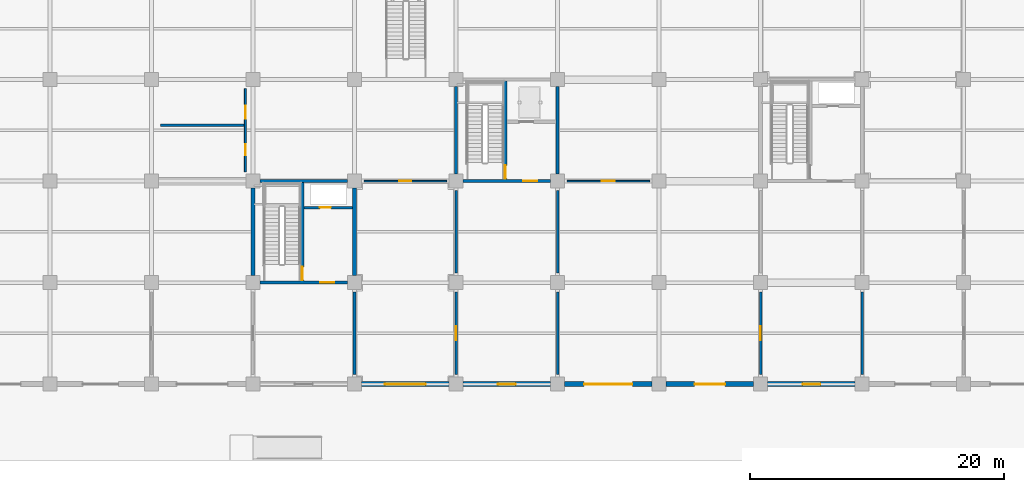
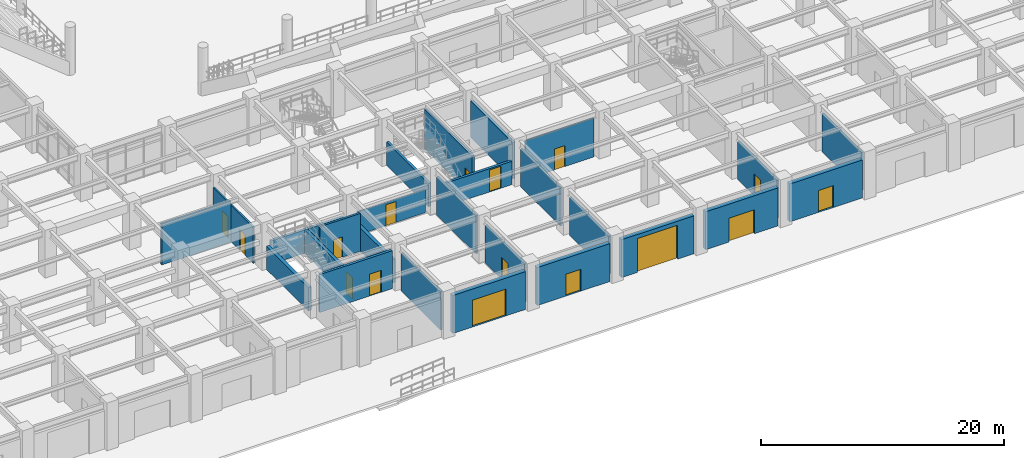
# One storey, part 75 of 125: 26 walls, 16 doors, 16 openings.
"""IFC4 building model written with IfcOpenShell, lengths in metres."""

from ifc_helpers import new_model, si_unit, direction, frame, frame_2d, origin, place, context, subcontext, project, spatial, rectangle, extrude, material, layer, layer_set, type_object, element, fill, save


model = new_model("IFC4")

# Units and contexts
model_context = context("Model", 3, precision=1e-05, world=origin(), true_north=direction((0.0, 1.0)))
body_context = subcontext(model_context, "Body", "Model", "MODEL_VIEW")
ifc_project = project(units=[si_unit("LENGTHUNIT", "METRE"), si_unit("AREAUNIT", "SQUARE_METRE"), si_unit("VOLUMEUNIT", "CUBIC_METRE"), si_unit("PLANEANGLEUNIT", "RADIAN"), si_unit("MASSUNIT", "GRAM", prefix="KILO")], contexts=[model_context])

# Site, building, storey
site_placement = place(None, origin())
site = spatial("IfcSite", under=ifc_project, at=site_placement, CompositionType="ELEMENT")
building_placement = place(site_placement, origin())
building = spatial("IfcBuilding", under=site, at=building_placement, Name="Haebicheon Civic Stadium", CompositionType="ELEMENT")
storey_placement = place(building_placement, origin())
storey = spatial("IfcBuildingStorey", under=building, at=storey_placement, Name="L01", CompositionType="ELEMENT", Elevation=0.0)

# Wall, opening, door
ifc_material_1 = material(Name="Concrete C40/50", Category="concrete")
ifc_layer_1 = layer(ifc_material_1, 0.239990234375, Name="Concrete C40/50")
ifc_layer_set_1 = layer_set([ifc_layer_1], Name="Concrete C40/50")
wall_type_1 = type_object("IfcWallType", Name="CW-SHR-240", PredefinedType="SHEAR", material=ifc_layer_set_1)
wall_1_placement = place(storey_placement, frame((88.550048828125, 16.0, 0.0), z_axis=(0.0, 0.0, 1.0), x_axis=(1.0, 0.0, 0.0)))
wall_1 = element("IfcWall", 1, at=wall_1_placement, inside=storey, type_object=wall_type_1, material=ifc_layer_set_1, Name="KC-06 L01 south core shear wall", PredefinedType="SHEAR", context=body_context, shape_type="SweptSolid", body=[
    extrude(rectangle(XDim=6.89990234375, YDim=0.239990234375, at=frame_2d((3.449951171875, 0.0))), origin(), (0.0, 0.0, 1.0), 2.340087890625),
])
opening_1_placement = place(wall_1_placement, frame((4.75, 0.0, 0.0)))
opening_1 = element("IfcOpeningElement", 2, at=opening_1_placement, cuts=wall_1, Name="Opening D-L01-KC-06-LOB", PredefinedType="OPENING", context=body_context, shape_type="SweptSolid", body=[
    extrude(rectangle(XDim=1.10009765625, YDim=2.199951171875, at=frame_2d((0.550048828125, 1.10009765625))), frame((0.0, 0.1298828125, 0.0), z_axis=(0.0, -1.0, 0.0), x_axis=(1.0, 0.0, 0.0)), (0.0, 0.0, 1.0), 0.260009765625),
])
ifc_material_2 = material(Name="Galvanised painted steel SM355", Category="steel")
door_type_1 = type_object("IfcDoorType", Name="ID-FD-1100", OperationType="NOTDEFINED", PredefinedType="DOOR", material=ifc_material_2)
door_1_placement = place(opening_1_placement, origin())
door_1 = element("IfcDoor", 3, at=door_1_placement, inside=storey, type_object=door_type_1, material=ifc_material_2, Name="L01 KC-06 lobby fire door", OperationType="SINGLE_SWING_LEFT", OverallHeight=2.199951171875, OverallWidth=1.10009765625, PredefinedType="DOOR", context=body_context, shape_type="SweptSolid", body=[
    extrude(rectangle(XDim=1.10009765625, YDim=2.199951171875, at=frame_2d((0.550048828125, 1.10009765625))), frame((0.0, 0.02490234375, 0.0), z_axis=(0.0, -1.0, 0.0), x_axis=(1.0, 0.0, 0.0)), (0.0, 0.0, 1.0), 0.050048828125),
])
fill(opening_1, door_1)

# Walls
wall_2_placement = place(storey_placement, frame((88.0, 16.550048828125, 0.0), z_axis=(0.0, 0.0, 1.0), x_axis=(0.0, 1.0, 0.0)))
element("IfcWall", 4, at=wall_2_placement, inside=storey, type_object=wall_type_1, material=ifc_layer_set_1, Name="KC-06 L01 west core shear wall", PredefinedType="SHEAR", context=body_context, shape_type="SweptSolid", body=[
    extrude(rectangle(XDim=6.89990234375, YDim=0.239990234375, at=frame_2d((3.449951171875, 0.0))), origin(), (0.0, 0.0, 1.0), 2.340087890625),
])
wall_3_placement = place(storey_placement, frame((96.0, 16.550048828125, 0.0), z_axis=(0.0, 0.0, 1.0), x_axis=(0.0, 1.0, 0.0)))
element("IfcWall", 5, at=wall_3_placement, inside=storey, type_object=wall_type_1, material=ifc_layer_set_1, Name="KC-06 L01 east core shear wall", PredefinedType="SHEAR", context=body_context, shape_type="SweptSolid", body=[
    extrude(rectangle(XDim=6.89990234375, YDim=0.239990234375, at=frame_2d((3.449951171875, 0.0))), origin(), (0.0, 0.0, 1.0), 3.659912109375),
])

# Wall, opening, door
wall_4_placement = place(storey_placement, frame((91.8798828125, 16.1201171875, 0.0), z_axis=(0.0, 0.0, 1.0), x_axis=(0.0, 1.0, 0.0)))
wall_4 = element("IfcWall", 6, at=wall_4_placement, inside=storey, type_object=wall_type_1, material=ifc_layer_set_1, Name="KC-06 L01 stair-lobby dividing shear wall", PredefinedType="SHEAR", context=body_context, shape_type="SweptSolid", body=[
    extrude(rectangle(XDim=7.759765625, YDim=0.239990234375, at=frame_2d((3.8798828125, 0.0))), origin(), (0.0, 0.0, 1.0), 4.010009765625),
])
opening_2_placement = place(wall_4_placement, frame((0.080078125, 0.0, 0.0)))
opening_2 = element("IfcOpeningElement", 7, at=opening_2_placement, cuts=wall_4, Name="Opening D-L01-KC-06-STR", PredefinedType="OPENING", context=body_context, shape_type="SweptSolid", body=[
    extrude(rectangle(XDim=1.050048828125, YDim=2.14990234375, at=frame_2d((0.52490234375, 1.074951171875))), frame((0.0, 0.1298828125, 0.0), z_axis=(0.0, -1.0, 0.0), x_axis=(1.0, 0.0, 0.0)), (0.0, 0.0, 1.0), 0.260009765625),
])
ifc_material_3 = material(Name="Galvanised painted steel SM355", Category="steel")
door_type_2 = type_object("IfcDoorType", Name="ID-FD-1050", OperationType="NOTDEFINED", PredefinedType="DOOR", material=ifc_material_3)
door_2_placement = place(opening_2_placement, origin())
door_2 = element("IfcDoor", 8, at=door_2_placement, inside=storey, type_object=door_type_2, material=ifc_material_3, Name="L01 ST-06 stairwell escape door", OperationType="SINGLE_SWING_RIGHT", OverallHeight=2.14990234375, OverallWidth=1.050048828125, PredefinedType="DOOR", context=body_context, shape_type="SweptSolid", body=[
    extrude(rectangle(XDim=1.050048828125, YDim=2.14990234375, at=frame_2d((0.52490234375, 1.074951171875))), frame((0.0, 0.02490234375, 0.0), z_axis=(0.0, -1.0, 0.0), x_axis=(1.0, 0.0, 0.0)), (0.0, 0.0, 1.0), 0.050048828125),
])
fill(opening_2, door_2)

wall_5_placement = place(storey_placement, frame((72.550048828125, 8.0, 0.0), z_axis=(0.0, 0.0, 1.0), x_axis=(1.0, 0.0, 0.0)))
wall_5 = element("IfcWall", 9, at=wall_5_placement, inside=storey, type_object=wall_type_1, material=ifc_layer_set_1, Name="KC-16 L01 south core shear wall", PredefinedType="SHEAR", context=body_context, shape_type="SweptSolid", body=[
    extrude(rectangle(XDim=6.89990234375, YDim=0.239990234375, at=frame_2d((3.449951171875, 0.0))), origin(), (0.0, 0.0, 1.0), 3.81005859375),
])
opening_3_placement = place(wall_5_placement, frame((4.75, 0.0, 0.0)))
opening_3 = element("IfcOpeningElement", 10, at=opening_3_placement, cuts=wall_5, Name="Opening D-L01-KC-16-LOB", PredefinedType="OPENING", context=body_context, shape_type="SweptSolid", body=[
    extrude(rectangle(XDim=1.10009765625, YDim=2.199951171875, at=frame_2d((0.550048828125, 1.10009765625))), frame((0.0, 0.1298828125, 0.0), z_axis=(0.0, -1.0, 0.0), x_axis=(1.0, 0.0, 0.0)), (0.0, 0.0, 1.0), 0.260009765625),
])
door_3_placement = place(opening_3_placement, origin())
door_3 = element("IfcDoor", 11, at=door_3_placement, inside=storey, type_object=door_type_1, material=ifc_material_2, Name="L01 KC-16 lobby fire door", OperationType="SINGLE_SWING_LEFT", OverallHeight=2.199951171875, OverallWidth=1.10009765625, PredefinedType="DOOR", context=body_context, shape_type="SweptSolid", body=[
    extrude(rectangle(XDim=1.10009765625, YDim=2.199951171875, at=frame_2d((0.550048828125, 1.10009765625))), frame((0.0, 0.02490234375, 0.0), z_axis=(0.0, -1.0, 0.0), x_axis=(1.0, 0.0, 0.0)), (0.0, 0.0, 1.0), 0.050048828125),
])
fill(opening_3, door_3)

# Walls
wall_6_placement = place(storey_placement, frame((72.550048828125, 16.0, 0.0), z_axis=(0.0, 0.0, 1.0), x_axis=(1.0, 0.0, 0.0)))
element("IfcWall", 12, at=wall_6_placement, inside=storey, type_object=wall_type_1, material=ifc_layer_set_1, Name="KC-16 L01 north core shear wall", PredefinedType="SHEAR", context=body_context, shape_type="SweptSolid", body=[
    extrude(rectangle(XDim=6.89990234375, YDim=0.239990234375, at=frame_2d((3.449951171875, 0.0))), origin(), (0.0, 0.0, 1.0), 2.340087890625),
])
ifc_material_4 = material(Name="Concrete C40/50", Category="concrete")
ifc_layer_2 = layer(ifc_material_4, 0.300048828125, Name="Concrete C40/50")
ifc_layer_set_2 = layer_set([ifc_layer_2], Name="Concrete C40/50")
wall_type_2 = type_object("IfcWallType", Name="CW-SHR-300", PredefinedType="SHEAR", material=ifc_layer_set_2)
for number, where, z_axis, x_axis, name in (
    (13, (72.0, 8.550048828125, 0.0), (0.0, 0.0, 1.0), (0.0, 1.0, 0.0), "KC-16 L01 west core shear wall"),
    (14, (80.0, 8.550048828125, 0.0), (0.0, 0.0, 1.0), (0.0, 1.0, 0.0), "KC-16 L01 east core shear wall"),
):
    element("IfcWall", number, at=place(storey_placement, frame(where, z_axis=z_axis, x_axis=x_axis)), inside=storey, type_object=wall_type_2, material=ifc_layer_set_2, Name=name, PredefinedType="SHEAR", context=body_context, shape_type="SweptSolid", body=[
        extrude(rectangle(XDim=6.89990234375, YDim=0.300048828125, at=frame_2d((3.449951171875, 0.0))), origin(), (0.0, 0.0, 1.0), 2.340087890625),
    ])

# Wall, opening, door
wall_7_placement = place(storey_placement, frame((75.8798828125, 8.1201171875, 0.0), z_axis=(0.0, 0.0, 1.0), x_axis=(0.0, 1.0, 0.0)))
wall_7 = element("IfcWall", 15, at=wall_7_placement, inside=storey, type_object=wall_type_2, material=ifc_layer_set_2, Name="KC-16 L01 stair-lobby dividing shear wall", PredefinedType="SHEAR", context=body_context, shape_type="SweptSolid", body=[
    extrude(rectangle(XDim=7.759765625, YDim=0.300048828125, at=frame_2d((3.8798828125, 0.0))), origin(), (0.0, 0.0, 1.0), 2.340087890625),
])
opening_4_placement = place(wall_7_placement, frame((0.080078125, 0.0, 0.0)))
opening_4 = element("IfcOpeningElement", 16, at=opening_4_placement, cuts=wall_7, Name="Opening D-L01-KC-16-STR", PredefinedType="OPENING", context=body_context, shape_type="SweptSolid", body=[
    extrude(rectangle(XDim=1.050048828125, YDim=2.14990234375, at=frame_2d((0.52490234375, 1.074951171875))), frame((0.0, 0.159912109375, 0.0), z_axis=(0.0, -1.0, 0.0), x_axis=(1.0, 0.0, 0.0)), (0.0, 0.0, 1.0), 0.320068359375),
])
door_4_placement = place(opening_4_placement, origin())
door_4 = element("IfcDoor", 17, at=door_4_placement, inside=storey, type_object=door_type_2, material=ifc_material_3, Name="L01 ST-16 stairwell escape door", OperationType="SINGLE_SWING_RIGHT", OverallHeight=2.14990234375, OverallWidth=1.050048828125, PredefinedType="DOOR", context=body_context, shape_type="SweptSolid", body=[
    extrude(rectangle(XDim=1.050048828125, YDim=2.14990234375, at=frame_2d((0.52490234375, 1.074951171875))), frame((0.0, 0.02490234375, 0.0), z_axis=(0.0, -1.0, 0.0), x_axis=(1.0, 0.0, 0.0)), (0.0, 0.0, 1.0), 0.050048828125),
])
fill(opening_4, door_4)

ifc_material_5 = material(Name="Concrete C40/50", Category="concrete")
ifc_layer_3 = layer(ifc_material_5, 0.39990234375, Name="Concrete C40/50")
ifc_layer_set_3 = layer_set([ifc_layer_3], Name="Concrete C40/50")
wall_type_3 = type_object("IfcWallType", Name="EW-BM-400", PredefinedType="SOLIDWALL", material=ifc_layer_set_3)
wall_8_placement = place(storey_placement, frame((80.550048828125, 0.0, 0.0), z_axis=(0.0, 0.0, 1.0), x_axis=(1.0, 0.0, 0.0)))
wall_8 = element("IfcWall", 18, at=wall_8_placement, inside=storey, type_object=wall_type_3, material=ifc_layer_set_3, Name="L01 board-marked concrete facade wall 10-00-S", PredefinedType="SOLIDWALL", context=body_context, shape_type="SweptSolid", body=[
    extrude(rectangle(XDim=6.89990234375, YDim=0.39990234375, at=frame_2d((3.449951171875, 0.0))), origin(), (0.0, 0.0, 1.0), 3.81005859375),
])
opening_5_placement = place(wall_8_placement, frame((1.85009765625, 0.0, 0.0)))
opening_5 = element("IfcOpeningElement", 19, at=opening_5_placement, cuts=wall_8, Name="Opening E08", PredefinedType="OPENING", context=body_context, shape_type="SweptSolid", body=[
    extrude(rectangle(XDim=3.199951171875, YDim=2.699951171875, at=frame_2d((1.60009765625, 1.35009765625))), frame((0.0, 0.2099609375, 0.0), z_axis=(0.0, -1.0, 0.0), x_axis=(1.0, 0.0, 0.0)), (0.0, 0.0, 1.0), 0.419921875),
])
ifc_material_6 = material(Name="Anodised aluminium and laminated glass", Category="aluminium")
door_type_3 = type_object("IfcDoorType", Name="ED-MAIN-3200", OperationType="NOTDEFINED", PredefinedType="DOOR", material=ifc_material_6)
door_5_placement = place(opening_5_placement, origin())
door_5 = element("IfcDoor", 20, at=door_5_placement, inside=storey, type_object=door_type_3, material=ifc_material_6, Name="Main entrance E8", OperationType="DOUBLE_SWING_LEFT", OverallHeight=2.699951171875, OverallWidth=3.199951171875, PredefinedType="DOOR", context=body_context, shape_type="SweptSolid", body=[
    extrude(rectangle(XDim=3.199951171875, YDim=2.699951171875, at=frame_2d((1.60009765625, 1.35009765625))), frame((0.0, 0.02490234375, 0.0), z_axis=(0.0, -1.0, 0.0), x_axis=(1.0, 0.0, 0.0)), (0.0, 0.0, 1.0), 0.050048828125),
])
fill(opening_5, door_5)

wall_9_placement = place(storey_placement, frame((95.449951171875, 0.0, 0.0), z_axis=(0.0, 0.0, 1.0), x_axis=(-1.0, 0.0, 0.0)))
wall_9 = element("IfcWall", 21, at=wall_9_placement, inside=storey, type_object=wall_type_3, material=ifc_layer_set_3, Name="L01 board-marked concrete facade wall 11-00-S", PredefinedType="SOLIDWALL", context=body_context, shape_type="SweptSolid", body=[
    extrude(rectangle(XDim=6.89990234375, YDim=0.39990234375, at=frame_2d((3.449951171875, 0.0))), origin(), (0.0, 0.0, 1.0), 3.81005859375),
])
opening_6_placement = place(wall_9_placement, frame((2.75, 0.0, 0.0)))
opening_6 = element("IfcOpeningElement", 22, at=opening_6_placement, cuts=wall_9, Name="Opening DX03", PredefinedType="OPENING", context=body_context, shape_type="SweptSolid", body=[
    extrude(rectangle(XDim=1.39990234375, YDim=2.199951171875, at=frame_2d((0.699951171875, 1.10009765625))), frame((0.0, 0.2099609375, 0.0), z_axis=(0.0, -1.0, 0.0), x_axis=(1.0, 0.0, 0.0)), (0.0, 0.0, 1.0), 0.419921875),
])
ifc_material_7 = material(Name="Galvanised painted steel SM355", Category="steel")
door_type_4 = type_object("IfcDoorType", Name="ED-EXIT-1400", OperationType="NOTDEFINED", PredefinedType="DOOR", material=ifc_material_7)
door_6_placement = place(opening_6_placement, origin())
door_6 = element("IfcDoor", 23, at=door_6_placement, inside=storey, type_object=door_type_4, material=ifc_material_7, Name="Protected exit passage final exit door DX03", OperationType="SINGLE_SWING_LEFT", OverallHeight=2.199951171875, OverallWidth=1.39990234375, PredefinedType="DOOR", context=body_context, shape_type="SweptSolid", body=[
    extrude(rectangle(XDim=1.39990234375, YDim=2.199951171875, at=frame_2d((0.699951171875, 1.10009765625))), frame((0.0, 0.02490234375, 0.0), z_axis=(0.0, -1.0, 0.0), x_axis=(1.0, 0.0, 0.0)), (0.0, 0.0, 1.0), 0.050048828125),
])
fill(opening_6, door_6)

wall_10_placement = place(storey_placement, frame((96.550048828125, 0.0, 0.0), z_axis=(0.0, 0.0, 1.0), x_axis=(1.0, 0.0, 0.0)))
wall_10 = element("IfcWall", 24, at=wall_10_placement, inside=storey, type_object=wall_type_3, material=ifc_layer_set_3, Name="L01 board-marked concrete facade wall 12-00-S", PredefinedType="SOLIDWALL", context=body_context, shape_type="SweptSolid", body=[
    extrude(rectangle(XDim=6.89990234375, YDim=0.39990234375, at=frame_2d((3.449951171875, 0.0))), origin(), (0.0, 0.0, 1.0), 3.81005859375),
])
opening_7_placement = place(wall_10_placement, frame((1.550048828125, 0.0, 0.0)))
opening_7 = element("IfcOpeningElement", 25, at=opening_7_placement, cuts=wall_10, Name="Opening DS03", PredefinedType="OPENING", context=body_context, shape_type="SweptSolid", body=[
    extrude(rectangle(XDim=3.800048828125, YDim=3.39990234375, at=frame_2d((1.89990234375, 1.699951171875))), frame((0.0, 0.2099609375, 0.0), z_axis=(0.0, -1.0, 0.0), x_axis=(1.0, 0.0, 0.0)), (0.0, 0.0, 1.0), 0.419921875),
])
ifc_material_8 = material(Name="Galvanised painted steel SM355", Category="steel")
door_type_5 = type_object("IfcDoorType", Name="ED-DOCK-3800", OperationType="NOTDEFINED", PredefinedType="GATE", material=ifc_material_8)
door_7_placement = place(opening_7_placement, origin())
door_7 = element("IfcDoor", 26, at=door_7_placement, inside=storey, type_object=door_type_5, material=ifc_material_8, Name="Loading dock roller shutter DS3", OperationType="ROLLINGUP", OverallHeight=3.39990234375, OverallWidth=3.800048828125, PredefinedType="GATE", context=body_context, shape_type="SweptSolid", body=[
    extrude(rectangle(XDim=3.800048828125, YDim=3.39990234375, at=frame_2d((1.89990234375, 1.699951171875))), frame((0.0, 0.02490234375, 0.0), z_axis=(0.0, -1.0, 0.0), x_axis=(1.0, 0.0, 0.0)), (0.0, 0.0, 1.0), 0.050048828125),
])
fill(opening_7, door_7)

wall_11_placement = place(storey_placement, frame((104.550048828125, 0.0, 0.0), z_axis=(0.0, 0.0, 1.0), x_axis=(1.0, 0.0, 0.0)))
wall_11 = element("IfcWall", 27, at=wall_11_placement, inside=storey, type_object=wall_type_3, material=ifc_layer_set_3, Name="L01 board-marked concrete facade wall 13-00-S", PredefinedType="SOLIDWALL", context=body_context, shape_type="SweptSolid", body=[
    extrude(rectangle(XDim=6.89990234375, YDim=0.39990234375, at=frame_2d((3.449951171875, 0.0))), origin(), (0.0, 0.0, 1.0), 3.81005859375),
])
opening_8_placement = place(wall_11_placement, frame((2.25, 0.0, 0.0)))
opening_8 = element("IfcOpeningElement", 28, at=opening_8_placement, cuts=wall_11, Name="Opening G08", PredefinedType="OPENING", context=body_context, shape_type="SweptSolid", body=[
    extrude(rectangle(XDim=2.39990234375, YDim=2.39990234375, at=frame_2d((1.199951171875, 1.199951171875))), frame((0.0, 0.2099609375, 0.0), z_axis=(0.0, -1.0, 0.0), x_axis=(1.0, 0.0, 0.0)), (0.0, 0.0, 1.0), 0.419921875),
])
ifc_material_9 = material(Name="Anodised aluminium 6063-T6", Category="aluminium")
door_type_6 = type_object("IfcDoorType", Name="ED-GATE-2400", OperationType="NOTDEFINED", PredefinedType="DOOR", material=ifc_material_9)
door_8_placement = place(opening_8_placement, origin())
door_8 = element("IfcDoor", 29, at=door_8_placement, inside=storey, type_object=door_type_6, material=ifc_material_9, Name="Pedestrian exit gate G8", OperationType="DOUBLE_SWING_LEFT", OverallHeight=2.39990234375, OverallWidth=2.39990234375, PredefinedType="DOOR", context=body_context, shape_type="SweptSolid", body=[
    extrude(rectangle(XDim=2.39990234375, YDim=2.39990234375, at=frame_2d((1.199951171875, 1.199951171875))), frame((0.0, 0.02490234375, 0.0), z_axis=(0.0, -1.0, 0.0), x_axis=(1.0, 0.0, 0.0)), (0.0, 0.0, 1.0), 0.050048828125),
])
fill(opening_8, door_8)

wall_12_placement = place(storey_placement, frame((119.449951171875, 0.0, 0.0), z_axis=(0.0, 0.0, 1.0), x_axis=(-1.0, 0.0, 0.0)))
wall_12 = element("IfcWall", 30, at=wall_12_placement, inside=storey, type_object=wall_type_3, material=ifc_layer_set_3, Name="L01 board-marked concrete facade wall 14-00-S", PredefinedType="SOLIDWALL", context=body_context, shape_type="SweptSolid", body=[
    extrude(rectangle(XDim=6.89990234375, YDim=0.39990234375, at=frame_2d((3.449951171875, 0.0))), origin(), (0.0, 0.0, 1.0), 3.81005859375),
])
opening_9_placement = place(wall_12_placement, frame((2.75, 0.0, 0.0)))
opening_9 = element("IfcOpeningElement", 31, at=opening_9_placement, cuts=wall_12, Name="Opening DX04", PredefinedType="OPENING", context=body_context, shape_type="SweptSolid", body=[
    extrude(rectangle(XDim=1.39990234375, YDim=2.199951171875, at=frame_2d((0.699951171875, 1.10009765625))), frame((0.0, 0.2099609375, 0.0), z_axis=(0.0, -1.0, 0.0), x_axis=(1.0, 0.0, 0.0)), (0.0, 0.0, 1.0), 0.419921875),
])
door_9_placement = place(opening_9_placement, origin())
door_9 = element("IfcDoor", 32, at=door_9_placement, inside=storey, type_object=door_type_4, material=ifc_material_7, Name="Protected exit passage final exit door DX04", OperationType="SINGLE_SWING_LEFT", OverallHeight=2.199951171875, OverallWidth=1.39990234375, PredefinedType="DOOR", context=body_context, shape_type="SweptSolid", body=[
    extrude(rectangle(XDim=1.39990234375, YDim=2.199951171875, at=frame_2d((0.699951171875, 1.10009765625))), frame((0.0, 0.02490234375, 0.0), z_axis=(0.0, -1.0, 0.0), x_axis=(1.0, 0.0, 0.0)), (0.0, 0.0, 1.0), 0.050048828125),
])
fill(opening_9, door_9)

ifc_material_10 = material(Name="Concrete C35/45", Category="concrete")
ifc_layer_4 = layer(ifc_material_10, 0.199951171875, Name="Concrete C35/45")
ifc_layer_set_4 = layer_set([ifc_layer_4], Name="Concrete C35/45")
wall_type_4 = type_object("IfcWallType", Name="IW-FIR-200", PredefinedType="PARTITIONING", material=ifc_layer_set_4)
wall_13_placement = place(storey_placement, frame((76.030029296875, 13.919921875, 0.0), z_axis=(0.0, 0.0, 1.0), x_axis=(1.0, 0.0, 0.0)))
wall_13 = element("IfcWall", 33, at=wall_13_placement, inside=storey, type_object=wall_type_4, material=ifc_layer_set_4, Name="KC-16 L01 service riser wall", PredefinedType="PARTITIONING", context=body_context, shape_type="SweptSolid", body=[
    extrude(rectangle(XDim=3.820068359375, YDim=0.199951171875, at=frame_2d((1.91015625, 0.0))), origin(), (0.0, 0.0, 1.0), 3.81005859375),
])
opening_10_placement = place(wall_13_placement, frame((1.25, 0.0, 0.0)))
opening_10 = element("IfcOpeningElement", 34, at=opening_10_placement, cuts=wall_13, Name="Opening D-L01-KC-16-RSR", PredefinedType="OPENING", context=body_context, shape_type="SweptSolid", body=[
    extrude(rectangle(XDim=0.85009765625, YDim=2.050048828125, at=frame_2d((0.425048828125, 1.02490234375))), frame((0.0, 0.10986328125, 0.0), z_axis=(0.0, -1.0, 0.0), x_axis=(1.0, 0.0, 0.0)), (0.0, 0.0, 1.0), 0.219970703125),
])
ifc_material_11 = material(Name="Galvanised painted steel SM355", Category="steel")
door_type_7 = type_object("IfcDoorType", Name="ID-RSR-0850", OperationType="NOTDEFINED", PredefinedType="TRAPDOOR", material=ifc_material_11)
door_10_placement = place(opening_10_placement, origin())
door_10 = element("IfcDoor", 35, at=door_10_placement, inside=storey, type_object=door_type_7, material=ifc_material_11, Name="L01 KC-16 riser access door", OperationType="SINGLE_SWING_LEFT", OverallHeight=2.050048828125, OverallWidth=0.85009765625, PredefinedType="TRAPDOOR", context=body_context, shape_type="SweptSolid", body=[
    extrude(rectangle(XDim=0.85009765625, YDim=2.050048828125, at=frame_2d((0.425048828125, 1.02490234375))), frame((0.0, 0.02490234375, 0.0), z_axis=(0.0, -1.0, 0.0), x_axis=(1.0, 0.0, 0.0)), (0.0, 0.0, 1.0), 0.050048828125),
])
fill(opening_10, door_10)

wall_14_placement = place(storey_placement, frame((88.0, 0.75, 0.0), z_axis=(0.0, 0.0, 1.0), x_axis=(0.0, 1.0, 0.0)))
wall_14 = element("IfcWall", 36, at=wall_14_placement, inside=storey, type_object=wall_type_4, material=ifc_layer_set_4, Name="L01 KC-06 protected exit passage EI 120 wall 01", PredefinedType="PARTITIONING", context=body_context, shape_type="SweptSolid", body=[
    extrude(rectangle(XDim=6.5, YDim=0.199951171875, at=frame_2d((3.25, 0.0))), origin(), (0.0, 0.0, 1.0), 3.81005859375),
])
opening_11_placement = place(wall_14_placement, frame((2.699951171875, 0.0, 0.0)))
opening_11 = element("IfcOpeningElement", 37, at=opening_11_placement, cuts=wall_14, Name="Opening D-L01-PXP-03", PredefinedType="OPENING", context=body_context, shape_type="SweptSolid", body=[
    extrude(rectangle(XDim=1.10009765625, YDim=2.199951171875, at=frame_2d((0.550048828125, 1.10009765625))), frame((0.0, 0.10986328125, 0.0), z_axis=(0.0, -1.0, 0.0), x_axis=(1.0, 0.0, 0.0)), (0.0, 0.0, 1.0), 0.219970703125),
])
door_11_placement = place(opening_11_placement, origin())
door_11 = element("IfcDoor", 38, at=door_11_placement, inside=storey, type_object=door_type_1, material=ifc_material_2, Name="L01 KC-06 protected exit passage lobby fire door", OperationType="SINGLE_SWING_LEFT", OverallHeight=2.199951171875, OverallWidth=1.10009765625, PredefinedType="DOOR", context=body_context, shape_type="SweptSolid", body=[
    extrude(rectangle(XDim=1.10009765625, YDim=2.199951171875, at=frame_2d((0.550048828125, 1.10009765625))), frame((0.0, 0.02490234375, 0.0), z_axis=(0.0, -1.0, 0.0), x_axis=(1.0, 0.0, 0.0)), (0.0, 0.0, 1.0), 0.050048828125),
])
fill(opening_11, door_11)

# Walls
for number, where, z_axis, x_axis, name in (
    (39, (96.0, 0.75, 0.0), (0.0, 0.0, 1.0), (0.0, 1.0, 0.0), "L01 KC-06 protected exit passage EI 120 wall 02"),
    (40, (88.0, 8.75, 0.0), (0.0, 0.0, 1.0), (0.0, 1.0, 0.0), "L01 KC-06 protected exit passage EI 120 wall 03"),
    (41, (96.0, 8.75, 0.0), (0.0, 0.0, 1.0), (0.0, 1.0, 0.0), "L01 KC-06 protected exit passage EI 120 wall 04"),
):
    element("IfcWall", number, at=place(storey_placement, frame(where, z_axis=z_axis, x_axis=x_axis)), inside=storey, type_object=wall_type_4, material=ifc_layer_set_4, Name=name, PredefinedType="PARTITIONING", context=body_context, shape_type="SweptSolid", body=[
        extrude(rectangle(XDim=6.5, YDim=0.199951171875, at=frame_2d((3.25, 0.0))), origin(), (0.0, 0.0, 1.0), 3.81005859375),
    ])

# Wall, opening, door
wall_15_placement = place(storey_placement, frame((112.0, 0.75, 0.0), z_axis=(0.0, 0.0, 1.0), x_axis=(0.0, 1.0, 0.0)))
wall_15 = element("IfcWall", 42, at=wall_15_placement, inside=storey, type_object=wall_type_4, material=ifc_layer_set_4, Name="L01 KC-07 protected exit passage EI 120 wall 01", PredefinedType="PARTITIONING", context=body_context, shape_type="SweptSolid", body=[
    extrude(rectangle(XDim=6.5, YDim=0.199951171875, at=frame_2d((3.25, 0.0))), origin(), (0.0, 0.0, 1.0), 3.81005859375),
])
opening_12_placement = place(wall_15_placement, frame((2.699951171875, 0.0, 0.0)))
opening_12 = element("IfcOpeningElement", 43, at=opening_12_placement, cuts=wall_15, Name="Opening D-L01-PXP-04", PredefinedType="OPENING", context=body_context, shape_type="SweptSolid", body=[
    extrude(rectangle(XDim=1.10009765625, YDim=2.199951171875, at=frame_2d((0.550048828125, 1.10009765625))), frame((0.0, 0.10986328125, 0.0), z_axis=(0.0, -1.0, 0.0), x_axis=(1.0, 0.0, 0.0)), (0.0, 0.0, 1.0), 0.219970703125),
])
door_12_placement = place(opening_12_placement, origin())
door_12 = element("IfcDoor", 44, at=door_12_placement, inside=storey, type_object=door_type_1, material=ifc_material_2, Name="L01 KC-07 protected exit passage lobby fire door", OperationType="SINGLE_SWING_RIGHT", OverallHeight=2.199951171875, OverallWidth=1.10009765625, PredefinedType="DOOR", context=body_context, shape_type="SweptSolid", body=[
    extrude(rectangle(XDim=1.10009765625, YDim=2.199951171875, at=frame_2d((0.550048828125, 1.10009765625))), frame((0.0, 0.02490234375, 0.0), z_axis=(0.0, -1.0, 0.0), x_axis=(1.0, 0.0, 0.0)), (0.0, 0.0, 1.0), 0.050048828125),
])
fill(opening_12, door_12)

# Walls
for number, where, z_axis, x_axis, name in (
    (45, (120.0, 0.75, 0.0), (0.0, 0.0, 1.0), (0.0, 1.0, 0.0), "L01 KC-07 protected exit passage EI 120 wall 02"),
    (46, (80.0, 0.75, 0.0), (0.0, 0.0, 1.0), (0.0, 1.0, 0.0), "L01 KC-16 protected exit passage EI 120 wall 02"),
):
    element("IfcWall", number, at=place(storey_placement, frame(where, z_axis=z_axis, x_axis=x_axis)), inside=storey, type_object=wall_type_4, material=ifc_layer_set_4, Name=name, PredefinedType="PARTITIONING", context=body_context, shape_type="SweptSolid", body=[
        extrude(rectangle(XDim=6.5, YDim=0.199951171875, at=frame_2d((3.25, 0.0))), origin(), (0.0, 0.0, 1.0), 3.81005859375),
    ])
ifc_material_12 = material(Name="Concrete C35/45", Category="concrete")
ifc_layer_5 = layer(ifc_material_12, 0.219970703125, Name="Concrete C35/45")
ifc_layer_set_5 = layer_set([ifc_layer_5], Name="Concrete C35/45")
wall_type_5 = type_object("IfcWallType", Name="IW-PLB-220", PredefinedType="PLUMBINGWALL", material=ifc_layer_set_5)
wall_16_placement = place(storey_placement, frame((64.719970703125, 20.39990234375, 0.0), z_axis=(0.0, 0.0, 1.0), x_axis=(1.0, 0.0, 0.0)))
element("IfcWall", 47, at=wall_16_placement, inside=storey, type_object=wall_type_5, material=ifc_layer_set_5, Name="L01 sanitary plumbing chase wall 05", PredefinedType="PLUMBINGWALL", context=body_context, shape_type="SweptSolid", body=[
    extrude(rectangle(XDim=6.56005859375, YDim=0.219970703125, at=frame_2d((3.280029296875, 0.0))), origin(), (0.0, 0.0, 1.0), 4.110107421875),
])

# Wall, opening, door
ifc_material_13 = material(Name="Anodised aluminium and laminated glass", Category="aluminium")
ifc_layer_6 = layer(ifc_material_13, 0.10009765625, Name="Anodised aluminium and laminated glass")
ifc_layer_set_6 = layer_set([ifc_layer_6], Name="Anodised aluminium and laminated glass")
wall_type_6 = type_object("IfcWallType", Name="IW-PRT-100", PredefinedType="PARTITIONING", material=ifc_layer_set_6)
wall_17_placement = place(storey_placement, frame((80.75, 16.0, 0.0), z_axis=(0.0, 0.0, 1.0), x_axis=(1.0, 0.0, 0.0)))
wall_17 = element("IfcWall", 48, at=wall_17_placement, inside=storey, type_object=wall_type_6, material=ifc_layer_set_6, Name="L01 Loading Dock Marshalling Bay partition wall", PredefinedType="PARTITIONING", context=body_context, shape_type="SweptSolid", body=[
    extrude(rectangle(XDim=6.5, YDim=0.10009765625, at=frame_2d((3.25, 0.0))), origin(), (0.0, 0.0, 1.0), 2.340087890625),
])
opening_13_placement = place(wall_17_placement, frame((2.77490234375, 0.0, 0.0)))
opening_13 = element("IfcOpeningElement", 49, at=opening_13_placement, cuts=wall_17, Name="Opening D-L01-183", PredefinedType="OPENING", context=body_context, shape_type="SweptSolid", body=[
    extrude(rectangle(XDim=0.949951171875, YDim=2.10009765625, at=frame_2d((0.47509765625, 1.050048828125))), frame((0.0, 0.06005859375, 0.0), z_axis=(0.0, -1.0, 0.0), x_axis=(1.0, 0.0, 0.0)), (0.0, 0.0, 1.0), 0.1201171875),
])
ifc_material_14 = material(Name="Engineered hardwood timber", Category="wood")
door_type_8 = type_object("IfcDoorType", Name="ID-RM-0950", OperationType="NOTDEFINED", PredefinedType="DOOR", material=ifc_material_14)
door_13_placement = place(opening_13_placement, origin())
door_13 = element("IfcDoor", 50, at=door_13_placement, inside=storey, type_object=door_type_8, material=ifc_material_14, Name="L01 Loading Dock Marshalling Bay entrance door D-L01-183", OperationType="SINGLE_SWING_RIGHT", OverallHeight=2.10009765625, OverallWidth=0.949951171875, PredefinedType="DOOR", context=body_context, shape_type="SweptSolid", body=[
    extrude(rectangle(XDim=0.949951171875, YDim=2.10009765625, at=frame_2d((0.47509765625, 1.050048828125))), frame((0.0, 0.02490234375, 0.0), z_axis=(0.0, -1.0, 0.0), x_axis=(1.0, 0.0, 0.0)), (0.0, 0.0, 1.0), 0.050048828125),
])
fill(opening_13, door_13)

ifc_material_15 = material(Name="Gypsum plasterboard on steel studs", Category="gypsum")
ifc_layer_7 = layer(ifc_material_15, 0.1298828125, Name="Gypsum plasterboard on steel studs")
ifc_layer_set_7 = layer_set([ifc_layer_7], Name="Gypsum plasterboard on steel studs")
wall_type_7 = type_object("IfcWallType", Name="IW-PRT-130", PredefinedType="PARTITIONING", material=ifc_layer_set_7)
wall_18_placement = place(storey_placement, frame((96.75, 16.0, 0.0), z_axis=(0.0, 0.0, 1.0), x_axis=(1.0, 0.0, 0.0)))
wall_18 = element("IfcWall", 51, at=wall_18_placement, inside=storey, type_object=wall_type_7, material=ifc_layer_set_7, Name="L01 Turf Grow-Light Maintenance Bay partition wall", PredefinedType="PARTITIONING", context=body_context, shape_type="SweptSolid", body=[
    extrude(rectangle(XDim=6.5, YDim=0.1298828125, at=frame_2d((3.25, 0.0))), origin(), (0.0, 0.0, 1.0), 3.909912109375),
])
opening_14_placement = place(wall_18_placement, frame((2.75, 0.0, 0.0)))
opening_14 = element("IfcOpeningElement", 52, at=opening_14_placement, cuts=wall_18, Name="Opening D-L01-184", PredefinedType="OPENING", context=body_context, shape_type="SweptSolid", body=[
    extrude(rectangle(XDim=1.0, YDim=2.10009765625, at=frame_2d((0.5, 1.050048828125))), frame((0.0, 0.074951171875, 0.0), z_axis=(0.0, -1.0, 0.0), x_axis=(1.0, 0.0, 0.0)), (0.0, 0.0, 1.0), 0.14990234375),
])
ifc_material_16 = material(Name="Engineered hardwood timber", Category="wood")
door_type_9 = type_object("IfcDoorType", Name="ID-RM-1000", OperationType="NOTDEFINED", PredefinedType="DOOR", material=ifc_material_16)
door_14_placement = place(opening_14_placement, origin())
door_14 = element("IfcDoor", 53, at=door_14_placement, inside=storey, type_object=door_type_9, material=ifc_material_16, Name="L01 Turf Grow-Light Maintenance Bay entrance door D-L01-184", OperationType="SINGLE_SWING_LEFT", OverallHeight=2.10009765625, OverallWidth=1.0, PredefinedType="DOOR", context=body_context, shape_type="SweptSolid", body=[
    extrude(rectangle(XDim=1.0, YDim=2.10009765625, at=frame_2d((0.5, 1.050048828125))), frame((0.0, 0.02490234375, 0.0), z_axis=(0.0, -1.0, 0.0), x_axis=(1.0, 0.0, 0.0)), (0.0, 0.0, 1.0), 0.050048828125),
])
fill(opening_14, door_14)

# Wall, openings, doors
ifc_material_17 = material(Name="Gypsum plasterboard on steel studs", Category="gypsum")
ifc_layer_8 = layer(ifc_material_17, 0.14990234375, Name="Gypsum plasterboard on steel studs")
ifc_layer_set_8 = layer_set([ifc_layer_8], Name="Gypsum plasterboard on steel studs")
wall_type_8 = type_object("IfcWallType", Name="IW-PRT-150", PredefinedType="PARTITIONING", material=ifc_layer_set_8)
wall_19_placement = place(storey_placement, frame((71.39990234375, 16.719970703125, 0.0), z_axis=(0.0, 0.0, 1.0), x_axis=(0.0, 1.0, 0.0)))
wall_19 = element("IfcWall", 54, at=wall_19_placement, inside=storey, type_object=wall_type_8, material=ifc_layer_set_8, Name="L01 sanitary enclosure front wall 05", PredefinedType="PARTITIONING", context=body_context, shape_type="SweptSolid", body=[
    extrude(rectangle(XDim=6.56005859375, YDim=0.14990234375, at=frame_2d((3.280029296875, 0.0))), origin(), (0.0, 0.0, 1.0), 3.659912109375),
])
opening_15_placement = place(wall_19_placement, frame((1.300048828125, 0.0, 0.0)))
opening_15 = element("IfcOpeningElement", 55, at=opening_15_placement, cuts=wall_19, Name="Opening D-L01-WC-05A", PredefinedType="OPENING", context=body_context, shape_type="SweptSolid", body=[
    extrude(rectangle(XDim=0.89990234375, YDim=2.10009765625, at=frame_2d((0.449951171875, 1.050048828125))), frame((0.0, 0.0849609375, 0.0), z_axis=(0.0, -1.0, 0.0), x_axis=(1.0, 0.0, 0.0)), (0.0, 0.0, 1.0), 0.169921875),
])
opening_16_placement = place(wall_19_placement, frame((4.199951171875, 0.0, 0.0)))
opening_16 = element("IfcOpeningElement", 56, at=opening_16_placement, cuts=wall_19, Name="Opening D-L01-AWC-05B", PredefinedType="OPENING", context=body_context, shape_type="SweptSolid", body=[
    extrude(rectangle(XDim=1.0, YDim=2.14990234375, at=frame_2d((0.5, 1.074951171875))), frame((0.0, 0.0849609375, 0.0), z_axis=(0.0, -1.0, 0.0), x_axis=(1.0, 0.0, 0.0)), (0.0, 0.0, 1.0), 0.169921875),
])
ifc_material_18 = material(Name="Anodised aluminium 6063-T6", Category="aluminium")
door_type_10 = type_object("IfcDoorType", Name="ID-AWC-1000", OperationType="NOTDEFINED", PredefinedType="DOOR", material=ifc_material_18)
door_15_placement = place(opening_16_placement, origin())
door_15 = element("IfcDoor", 57, at=door_15_placement, inside=storey, type_object=door_type_10, material=ifc_material_18, Name="L01 accessible WC door 05", OperationType="SINGLE_SWING_RIGHT", OverallHeight=2.14990234375, OverallWidth=1.0, PredefinedType="DOOR", context=body_context, shape_type="SweptSolid", body=[
    extrude(rectangle(XDim=1.0, YDim=2.14990234375, at=frame_2d((0.5, 1.074951171875))), frame((0.0, 0.02490234375, 0.0), z_axis=(0.0, -1.0, 0.0), x_axis=(1.0, 0.0, 0.0)), (0.0, 0.0, 1.0), 0.050048828125),
])
fill(opening_16, door_15)
ifc_material_19 = material(Name="Anodised aluminium 6063-T6", Category="aluminium")
door_type_11 = type_object("IfcDoorType", Name="ID-WC-0900", OperationType="NOTDEFINED", PredefinedType="DOOR", material=ifc_material_19)
door_16_placement = place(opening_15_placement, origin())
door_16 = element("IfcDoor", 58, at=door_16_placement, inside=storey, type_object=door_type_11, material=ifc_material_19, Name="L01 public restroom door 05", OperationType="SINGLE_SWING_LEFT", OverallHeight=2.10009765625, OverallWidth=0.89990234375, PredefinedType="DOOR", context=body_context, shape_type="SweptSolid", body=[
    extrude(rectangle(XDim=0.89990234375, YDim=2.10009765625, at=frame_2d((0.449951171875, 1.050048828125))), frame((0.0, 0.02490234375, 0.0), z_axis=(0.0, -1.0, 0.0), x_axis=(1.0, 0.0, 0.0)), (0.0, 0.0, 1.0), 0.050048828125),
])
fill(opening_15, door_16)

save(model, "model.ifc")
